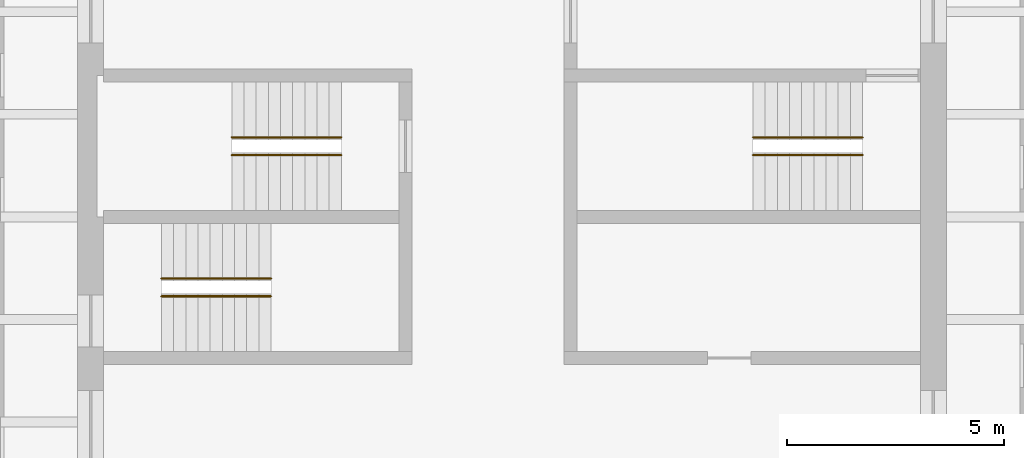
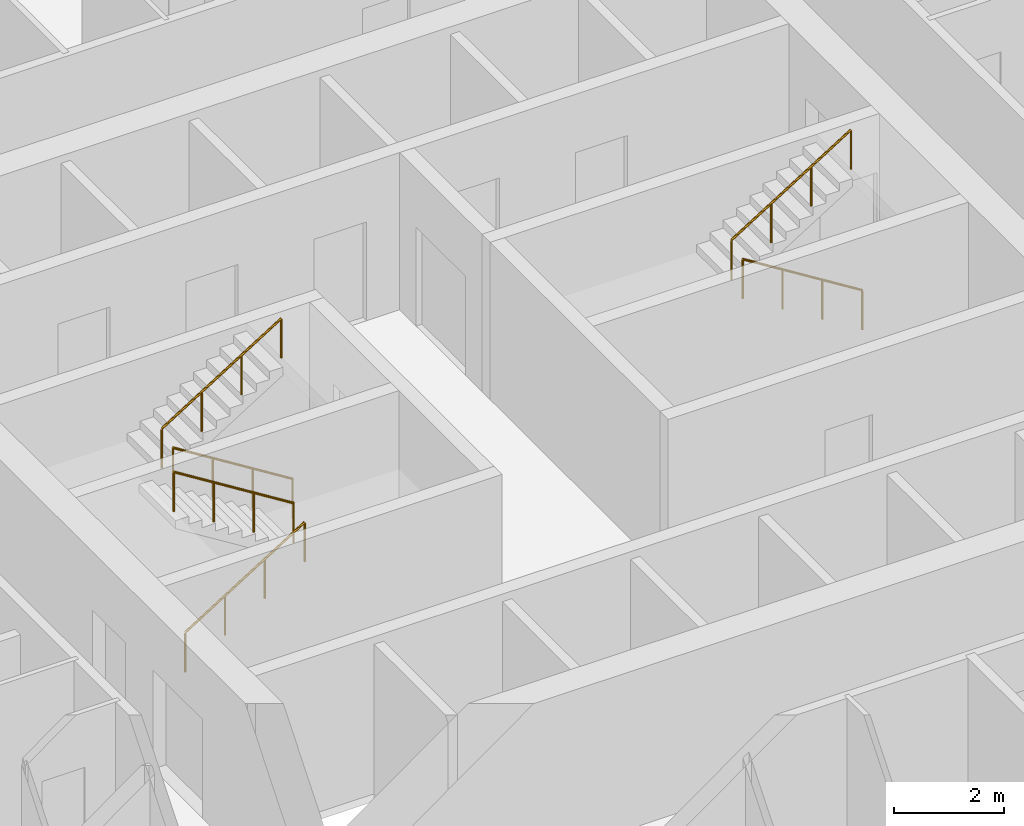
# One storey, part 9 of 9: 6 railings.
"""IFC4 building model written with IfcOpenShell, lengths in metres."""

from ifc_helpers import new_model, si_unit, direction, frame, origin, origin_2d, place, context, subcontext, project, spatial, circle, extrude, material, type_object, element, save


model = new_model("IFC4")

# Units and contexts
model_context = context("Model", 3, precision=1e-05, world=origin(), true_north=direction((0.0, 1.0)))
body_context = subcontext(model_context, "Body", "Model", "MODEL_VIEW")
ifc_project = project(units=[si_unit("LENGTHUNIT", "METRE"), si_unit("AREAUNIT", "SQUARE_METRE"), si_unit("VOLUMEUNIT", "CUBIC_METRE"), si_unit("PLANEANGLEUNIT", "RADIAN"), si_unit("MASSUNIT", "GRAM", prefix="KILO")], contexts=[model_context])

# Site, building, storey
site_placement = place(None, origin())
site = spatial("IfcSite", under=ifc_project, at=site_placement, CompositionType="ELEMENT")
building_placement = place(site_placement, origin())
building = spatial("IfcBuilding", under=site, at=building_placement, Name="Turquesa Mirador Hotel Tower", CompositionType="ELEMENT")
storey_placement = place(building_placement, frame((0.0, 0.0, 35.5)))
storey = spatial("IfcBuildingStorey", under=building, at=storey_placement, Name="L08", CompositionType="ELEMENT", Elevation=35.5)

# Railings
ifc_material = material(Name="Painted steel handrail", Category="steel")
railing_type = type_object("IfcRailingType", Name="HANDRAIL 900 STEEL", PredefinedType="HANDRAIL", material=ifc_material)
railing_1_placement = place(storey_placement, frame((51.070068359375, 46.419921875, 0.175048828125)))
element("IfcRailing", 1, at=railing_1_placement, inside=storey, type_object=railing_type, Name="Handrail ST1", PredefinedType="HANDRAIL", context=body_context, shape_type="SweptSolid", body=[
    extrude(circle(Radius=0.02392578125, at=origin_2d()), frame((0.0, 0.0, 0.8759765625), z_axis=(-0.848007534815, 0.0, 0.529984170421), x_axis=(0.0, -1.0, 0.0)), (0.0, 0.0, 1.0), 2.9716796875),
    extrude(circle(Radius=0.02099609375, at=origin_2d()), origin(), (0.0, 0.0, 1.0), 0.851806640625),
    extrude(circle(Radius=0.02099609375, at=origin_2d()), frame((-0.840087890625, 0.0, 0.52490234375)), (0.0, 0.0, 1.0), 0.851806640625),
    extrude(circle(Radius=0.02099609375, at=origin_2d()), frame((-1.679931640625, 0.0, 1.050048828125)), (0.0, 0.0, 1.0), 0.851806640625),
    extrude(circle(Radius=0.02099609375, at=origin_2d()), frame((-2.52001953125, 0.0, 1.574951171875)), (0.0, 0.0, 1.0), 0.851806640625),
])
for number, where, name in (
    (2, (48.550048828125, 46.830078125, 1.925048828125), "Handrail ST1"),
    (3, (46.929931640625, 43.169921875, 0.175048828125), "Handrail ST2"),
):
    element("IfcRailing", number, at=place(storey_placement, frame(where)), inside=storey, type_object=railing_type, Name=name, PredefinedType="HANDRAIL", context=body_context, shape_type="SweptSolid", body=[
        extrude(circle(Radius=0.02392578125, at=origin_2d()), frame((0.0, 0.0, 0.8759765625), z_axis=(0.848007534815, 0.0, 0.529984170421), x_axis=(0.0, 1.0, 0.0)), (0.0, 0.0, 1.0), 2.9716796875),
        extrude(circle(Radius=0.02099609375, at=origin_2d()), origin(), (0.0, 0.0, 1.0), 0.851806640625),
        extrude(circle(Radius=0.02099609375, at=origin_2d()), frame((0.840087890625, 0.0, 0.52490234375)), (0.0, 0.0, 1.0), 0.851806640625),
        extrude(circle(Radius=0.02099609375, at=origin_2d()), frame((1.679931640625, 0.0, 1.050048828125)), (0.0, 0.0, 1.0), 0.851806640625),
        extrude(circle(Radius=0.02099609375, at=origin_2d()), frame((2.52001953125, 0.0, 1.574951171875)), (0.0, 0.0, 1.0), 0.851806640625),
    ])
for number, where, name in (
    (4, (49.449951171875, 43.580078125, 1.925048828125), "Handrail ST2"),
    (5, (63.070068359375, 46.419921875, 0.175048828125), "Handrail ST3"),
):
    element("IfcRailing", number, at=place(storey_placement, frame(where)), inside=storey, type_object=railing_type, Name=name, PredefinedType="HANDRAIL", context=body_context, shape_type="SweptSolid", body=[
        extrude(circle(Radius=0.02392578125, at=origin_2d()), frame((0.0, 0.0, 0.8759765625), z_axis=(-0.848007534815, 0.0, 0.529984170421), x_axis=(0.0, -1.0, 0.0)), (0.0, 0.0, 1.0), 2.9716796875),
        extrude(circle(Radius=0.02099609375, at=origin_2d()), origin(), (0.0, 0.0, 1.0), 0.851806640625),
        extrude(circle(Radius=0.02099609375, at=origin_2d()), frame((-0.840087890625, 0.0, 0.52490234375)), (0.0, 0.0, 1.0), 0.851806640625),
        extrude(circle(Radius=0.02099609375, at=origin_2d()), frame((-1.679931640625, 0.0, 1.050048828125)), (0.0, 0.0, 1.0), 0.851806640625),
        extrude(circle(Radius=0.02099609375, at=origin_2d()), frame((-2.52001953125, 0.0, 1.574951171875)), (0.0, 0.0, 1.0), 0.851806640625),
    ])
railing_2_placement = place(storey_placement, frame((60.550048828125, 46.830078125, 1.925048828125)))
element("IfcRailing", 6, at=railing_2_placement, inside=storey, type_object=railing_type, Name="Handrail ST3", PredefinedType="HANDRAIL", context=body_context, shape_type="SweptSolid", body=[
    extrude(circle(Radius=0.02392578125, at=origin_2d()), frame((0.0, 0.0, 0.8759765625), z_axis=(0.848007534815, 0.0, 0.529984170421), x_axis=(0.0, 1.0, 0.0)), (0.0, 0.0, 1.0), 2.9716796875),
    extrude(circle(Radius=0.02099609375, at=origin_2d()), origin(), (0.0, 0.0, 1.0), 0.851806640625),
    extrude(circle(Radius=0.02099609375, at=origin_2d()), frame((0.840087890625, 0.0, 0.52490234375)), (0.0, 0.0, 1.0), 0.851806640625),
    extrude(circle(Radius=0.02099609375, at=origin_2d()), frame((1.679931640625, 0.0, 1.050048828125)), (0.0, 0.0, 1.0), 0.851806640625),
    extrude(circle(Radius=0.02099609375, at=origin_2d()), frame((2.52001953125, 0.0, 1.574951171875)), (0.0, 0.0, 1.0), 0.851806640625),
])

save(model, "model.ifc")
